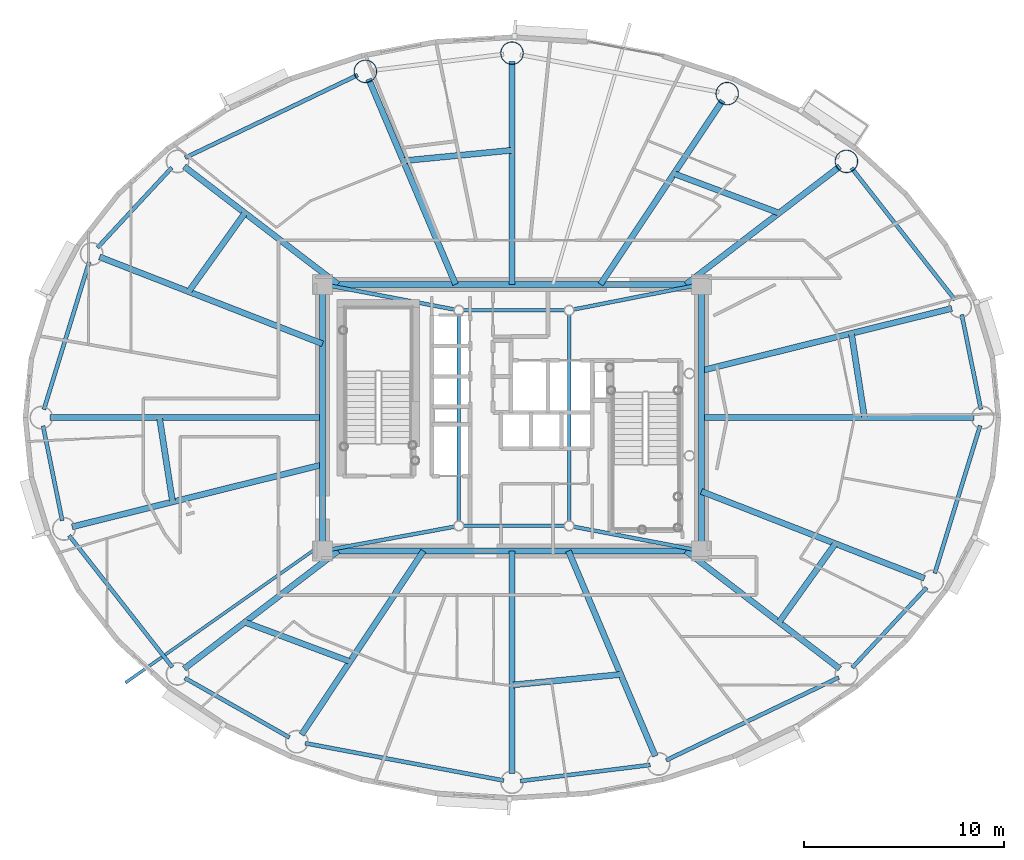
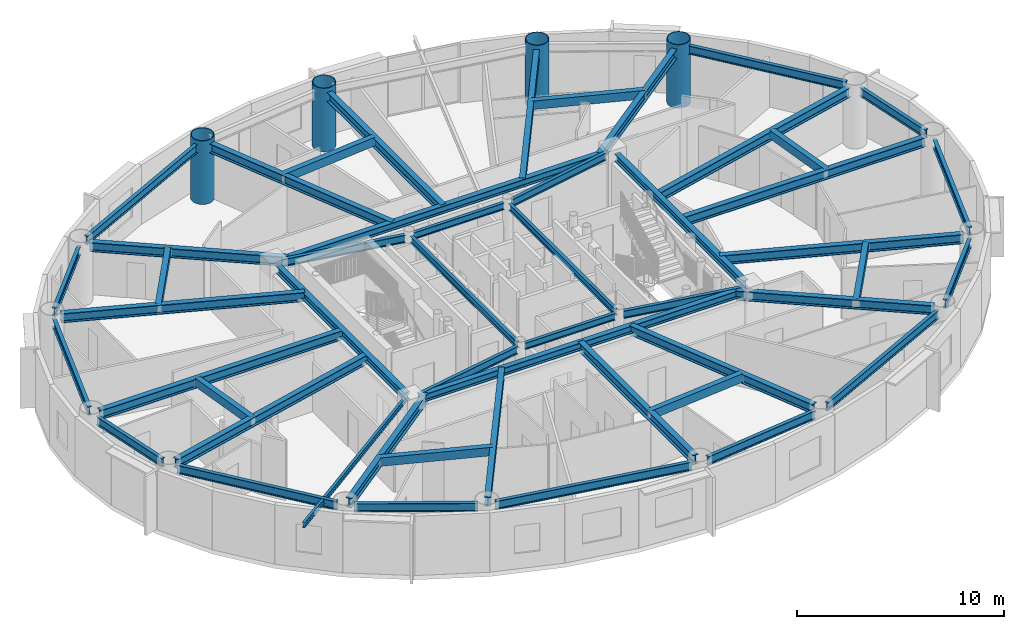
# One storey, part 3 of 21: 50 beams, 4 columns.
"""IFC4 building model written with IfcOpenShell, lengths in metres."""

import ifcopenshell
import ifcopenshell.guid

model = None  # the IFC model being written
_history = None  # IfcOwnerHistory: only IFC2X3 demands one
_inside = {}  # id of a spatial element -> (the spatial element, [elements in it])
_under = {}  # id of a project, library or spatial element -> (it, [spatial elements below it])
_declared = {}  # id of a project -> (the project, [libraries it declares])
_typed = {}  # id of a type object -> (the type object, [elements of that type])
_made_of = {}  # id of a material, layer set ... -> (it, [elements and type objects made of it])


def new_model(schema):
    """Start an empty IFC model of exactly this schema.

    Asked for "IFC4X3", IfcOpenShell would pick the latest addendum, in which some entities
    have other attributes; the version numbers below select the first issue.
    IFC2X3 requires an IfcOwnerHistory on every rooted entity: one is made here for all.
    """
    global model, _history
    if schema == "IFC4X3":
        model = ifcopenshell.file(schema_version=(4, 3, 0, 0))
    else:
        model = ifcopenshell.file(schema=schema)
    _inside.clear()
    _under.clear()
    _declared.clear()
    _typed.clear()
    _made_of.clear()
    _history = None
    if model.schema == "IFC2X3":
        org = make("IfcOrganization", Name="unknown")
        user = make(
            "IfcPersonAndOrganization",
            ThePerson=make("IfcPerson", FamilyName="unknown"),
            TheOrganization=org,
        )
        app = make(
            "IfcApplication",
            ApplicationDeveloper=org,
            Version="unknown",
            ApplicationFullName="unknown",
            ApplicationIdentifier="unknown",
        )
        _history = make(
            "IfcOwnerHistory",
            OwningUser=user,
            OwningApplication=app,
            ChangeAction="ADDED",
            CreationDate=0,
        )
    return model


def make(cls, **values):
    """One entity of the class cls with the attributes given. An attribute that is None is left unset."""
    return model.create_entity(
        cls, **{name: value for name, value in values.items() if value is not None}
    )


def rooted(cls, **values):
    """An entity with a GlobalId (a new one), such as an element, a storey or a relation."""
    return make(cls, GlobalId=ifcopenshell.guid.new(), OwnerHistory=_history, **values)


def si_unit(unit_type, name, prefix=None):
    """IfcSIUnit, for example si_unit("LENGTHUNIT", "METRE", prefix="MILLI")."""
    return make("IfcSIUnit", UnitType=unit_type, Prefix=prefix, Name=name)


def assignment(units):
    """IfcUnitAssignment: the units of a project."""
    return None if units is None else make("IfcUnitAssignment", Units=units)


def point(xyz):
    """IfcCartesianPoint."""
    return None if xyz is None else make("IfcCartesianPoint", Coordinates=xyz)


def direction(xyz):
    """IfcDirection."""
    return None if xyz is None else make("IfcDirection", DirectionRatios=xyz)


def frame(location, z_axis=None, x_axis=None):
    """IfcAxis2Placement3D, a coordinate frame: its origin and axes. An axis left out is left unset."""
    return make(
        "IfcAxis2Placement3D",
        Location=point(location),
        Axis=direction(z_axis),
        RefDirection=direction(x_axis),
    )


def frame_2d(location, x_axis=None):
    """IfcAxis2Placement2D, a coordinate frame in the plane: its origin and x axis."""
    return make(
        "IfcAxis2Placement2D", Location=point(location), RefDirection=direction(x_axis)
    )


def origin():
    """The frame at (0, 0, 0) with its axes left unset."""
    return frame((0.0, 0.0, 0.0))


def origin_2d():
    """The frame at (0, 0) in the plane with its x axis left unset."""
    return frame_2d((0.0, 0.0))


def place(relative_to, where):
    """IfcLocalPlacement: puts the frame where relative to a parent placement (None: the world)."""
    return make(
        "IfcLocalPlacement", PlacementRelTo=relative_to, RelativePlacement=where
    )


def context(
    kind, dimensions, precision=None, world=None, true_north=None, identifier=None
):
    """IfcGeometricRepresentationContext, for example the 3D "Model" context."""
    return make(
        "IfcGeometricRepresentationContext",
        ContextIdentifier=identifier,
        ContextType=kind,
        CoordinateSpaceDimension=dimensions,
        Precision=precision,
        WorldCoordinateSystem=world,
        TrueNorth=true_north,
    )


def subcontext(parent, identifier, kind, view, scale=None):
    """IfcGeometricRepresentationSubContext, for example "Body" below "Model"."""
    return make(
        "IfcGeometricRepresentationSubContext",
        ContextIdentifier=identifier,
        ContextType=kind,
        ParentContext=parent,
        TargetScale=scale,
        TargetView=view,
    )


def project(units=None, contexts=None):
    """IfcProject with its units and contexts."""
    return rooted(
        "IfcProject",
        Name="project",
        RepresentationContexts=contexts,
        UnitsInContext=assignment(units),
    )


def spatial(cls, under=None, at=None, **own):
    """A site, building, storey or space (cls), placed at a placement, below another one or the project."""
    s = rooted(cls, ObjectPlacement=at, **own)
    if under is not None:
        _under.setdefault(under.id(), (under, []))[1].append(s)
    return s


def profile(cls, at=None, kind="AREA", **sizes):
    """A parametric profile (cls). Its sizes go by their IFC names, for example OverallWidth=200.0."""
    return make(cls, ProfileType=kind, Position=at, **sizes)


def hollow_rectangle(**sizes):
    """IfcRectangleHollowProfileDef."""
    return profile("IfcRectangleHollowProfileDef", **sizes)


def hollow_circle(**sizes):
    """IfcCircleHollowProfileDef."""
    return profile("IfcCircleHollowProfileDef", **sizes)


def i_section(**sizes):
    """IfcIShapeProfileDef."""
    return profile("IfcIShapeProfileDef", **sizes)


def extrude(swept, where, along, depth):
    """IfcExtrudedAreaSolid: the profile swept, set in the frame where, extruded along a direction by depth."""
    return make(
        "IfcExtrudedAreaSolid",
        SweptArea=swept,
        Position=where,
        ExtrudedDirection=direction(along),
        Depth=depth,
    )


def shape(context_of_items, identifier, shape_type, items):
    """IfcShapeRepresentation: the items that make up one representation, for example the "Body"."""
    return make(
        "IfcShapeRepresentation",
        ContextOfItems=context_of_items,
        RepresentationIdentifier=identifier,
        RepresentationType=shape_type,
        Items=items,
    )


def material(Name=None, Category=None):
    """IfcMaterial."""
    return make("IfcMaterial", Name=Name, Category=Category)


def material_profile(
    of_material, cross_section, Name=None, Category=None, Priority=None
):
    """IfcMaterialProfile: a cross section and its material."""
    return make(
        "IfcMaterialProfile",
        Name=Name,
        Material=of_material,
        Profile=cross_section,
        Priority=Priority,
        Category=Category,
    )


def profile_set(profiles, Name=None, composite=None):
    """IfcMaterialProfileSet."""
    return make(
        "IfcMaterialProfileSet",
        Name=Name,
        MaterialProfiles=profiles,
        CompositeProfile=composite,
    )


def made_of(thing, what):
    """Note that an element or type object is made of a material, layer set ...; save() writes the relation."""
    if what is not None:
        _made_of.setdefault(what.id(), (what, []))[1].append(thing)
    return thing


def type_object(cls, material=None, **own):
    """A type object (cls), such as IfcWallType, which elements share."""
    return made_of(rooted(cls, **own), material)


def element(
    cls,
    number,
    at=None,
    inside=None,
    cuts=None,
    type_object=None,
    material=None,
    context=None,
    identifier="Body",
    shape_type=None,
    held_by="IfcProductDefinitionShape",
    body=None,
    shapes=None,
    **own,
):
    """One element of the class cls, such as IfcWall. Its Tag is "e" and its number.

    at: its placement. inside: the storey or other place that contains it. cuts: it is an
    opening in that element (IfcRelVoidsElement). A single representation is given by context,
    identifier, shape_type and body (its items); several are given by shapes. held_by: the class
    of the entity that holds the representations. save() writes the other relations.
    """
    e = rooted(cls, Tag="e%d" % number, ObjectPlacement=at, **own)
    if body is not None:
        shapes = [shape(context, identifier, shape_type, body)]
    if shapes is not None:
        e.Representation = make(held_by, Representations=shapes)
    if inside is not None:
        _inside.setdefault(inside.id(), (inside, []))[1].append(e)
    if cuts is not None:
        rooted(
            "IfcRelVoidsElement", RelatingBuildingElement=cuts, RelatedOpeningElement=e
        )
    if type_object is not None:
        _typed.setdefault(type_object.id(), (type_object, []))[1].append(e)
    return made_of(e, material)


def aggregate(whole, parts):
    """IfcRelAggregates: a whole, such as a stair, and the parts it consists of."""
    return rooted("IfcRelAggregates", RelatingObject=whole, RelatedObjects=parts)


def save(model, path):
    """Write the relations noted so far, then the file.

    IfcRelAggregates (storeys below a building ...), IfcRelContainedInSpatialStructure (elements
    in a storey), IfcRelDefinesByType, IfcRelAssociatesMaterial and IfcRelDeclares: one each for
    every whole, place, type object, material and project.
    """
    for whole, parts in _under.values():
        aggregate(whole, parts)
    for where, things in _inside.values():
        rooted(
            "IfcRelContainedInSpatialStructure",
            RelatedElements=things,
            RelatingStructure=where,
        )
    for kind, things in _typed.values():
        rooted("IfcRelDefinesByType", RelatedObjects=things, RelatingType=kind)
    for what, things in _made_of.values():
        rooted("IfcRelAssociatesMaterial", RelatedObjects=things, RelatingMaterial=what)
    for by, libraries in _declared.values():
        rooted("IfcRelDeclares", RelatingContext=by, RelatedDefinitions=libraries)
    model.write(path)


model = new_model("IFC4")

# Units and contexts
model_context = context("Model", 3, precision=1e-05, world=origin(), true_north=direction((0.0, 1.0)))
body_context = subcontext(model_context, "Body", "Model", "MODEL_VIEW")
ifc_project = project(units=[si_unit("LENGTHUNIT", "METRE"), si_unit("AREAUNIT", "SQUARE_METRE"), si_unit("VOLUMEUNIT", "CUBIC_METRE"), si_unit("PLANEANGLEUNIT", "RADIAN"), si_unit("MASSUNIT", "GRAM", prefix="KILO")], contexts=[model_context])

# Site, building, storey
site_placement = place(None, origin())
site = spatial("IfcSite", under=ifc_project, at=site_placement, CompositionType="ELEMENT")
building_placement = place(site_placement, origin())
building = spatial("IfcBuilding", under=site, at=building_placement, Name="Linh Dai School and Residence Tower", CompositionType="ELEMENT")
storey_placement = place(building_placement, frame((0.0, 0.0, 229.050048828125)))
storey = spatial("IfcBuildingStorey", under=building, at=storey_placement, Name="L56", CompositionType="ELEMENT", Elevation=229.050048828125)

# Columns
ifc_material = material(Name="Structural Steel S355JR", Category="steel")
ifc_material_profile_1 = material_profile(ifc_material, hollow_circle(Radius=0.574951171875, WallThickness=0.035888671875, at=origin_2d()), Name="CHS 1150x36")
ifc_profile_set_1 = profile_set([ifc_material_profile_1], Name="Structural Steel S355JR")
column_type = type_object("IfcColumnType", Name="COL-MC5", PredefinedType="COLUMN", material=ifc_profile_set_1)
for number, where, z_axis, x_axis, name in (
    (1, (52.68310546875, 39.781005859375, 0.0), (0.0, 0.0, 1.0), (1.0, 0.0, 0.0), "L56 Perimeter CFT Mega-Column MC03"),
    (2, (46.734619140625, 43.16357421875, 0.0), (0.0, 0.0, 1.0), (1.0, 0.0, 0.0), "L56 Perimeter CFT Mega-Column MC04"),
    (3, (36.0, 45.179931640625, 0.0), (0.0, 0.0, 1.0), (1.0, 0.0, 0.0), "L56 Perimeter CFT Mega-Column MC05"),
    (4, (28.68798828125, 44.2734375, 0.0), (0.0, 0.0, 1.0), (1.0, 0.0, 0.0), "L56 Perimeter CFT Mega-Column MC06"),
):
    element("IfcColumn", number, at=place(storey_placement, frame(where, z_axis=z_axis, x_axis=x_axis)), inside=storey, type_object=column_type, Name=name, PredefinedType="COLUMN", context=body_context, shape_type="SweptSolid", body=[
        extrude(hollow_circle(Radius=0.574951171875, WallThickness=0.035888671875, at=origin_2d()), origin(), (0.0, 0.0, 1.0), 3.75),
    ])

# Beams
ifc_material_profile_2 = material_profile(ifc_material, i_section(OverallWidth=0.14990234375, OverallDepth=0.300048828125, WebThickness=0.007080078125, FlangeThickness=0.0107421875, at=origin_2d()), Name="IPE 300")
ifc_profile_set_2 = profile_set([ifc_material_profile_2], Name="Structural Steel S355JR")
beam_type_1 = type_object("IfcBeamType", Name="BM-BALC-CANT", PredefinedType="BEAM", material=ifc_profile_set_2)
beam_1_placement = place(storey_placement, frame((26.550048828125, 20.698486328125, 3.349853515625), z_axis=(-0.817596484683, -0.57579161876, 0.0), x_axis=(0.57579161876, -0.817596484683, 0.0)))
element("IfcBeam", 5, at=beam_1_placement, inside=storey, type_object=beam_type_1, Name="L57 Balcony Continuous Cantilever Beam 25", PredefinedType="BEAM", context=body_context, shape_type="SweptSolid", body=[
    extrude(i_section(OverallWidth=0.14990234375, OverallDepth=0.300048828125, WebThickness=0.007080078125, FlangeThickness=0.0107421875, at=origin_2d()), origin(), (0.0, 0.0, 1.0), 12.02392578125),
])
ifc_material_profile_3 = material_profile(ifc_material, hollow_rectangle(XDim=0.300048828125, YDim=0.5, WallThickness=0.01611328125, at=origin_2d()), Name="RHS 500x300x16")
ifc_profile_set_3 = profile_set([ifc_material_profile_3], Name="Structural Steel S355JR")
beam_type_2 = type_object("IfcBeamType", Name="BM-BX5", PredefinedType="BEAM", material=ifc_profile_set_3)
beam_2_placement = place(storey_placement, frame((53.583740234375, 27.0048828125, 3.25), z_axis=(-0.153185278766, 0.988197485511, 0.0), x_axis=(-0.988197485511, -0.153185278766, 0.0)))
element("IfcBeam", 6, at=beam_2_placement, inside=storey, type_object=beam_type_2, Name="L56 Secondary Circumferential Floor Beam 01", PredefinedType="BEAM", context=body_context, shape_type="SweptSolid", body=[
    extrude(hollow_rectangle(XDim=0.300048828125, YDim=0.5, WallThickness=0.01611328125, at=origin_2d()), origin(), (0.0, 0.0, 1.0), 4.244140625),
])
beam_3_placement = place(storey_placement, frame((49.3173828125, 37.207763671875, 3.25), z_axis=(-0.936542736839, 0.350553422567, 0.0), x_axis=(-0.350553422567, -0.936542736839, 0.0)))
element("IfcBeam", 7, at=beam_3_placement, inside=storey, type_object=beam_type_2, Name="L56 Secondary Circumferential Floor Beam 02", PredefinedType="BEAM", context=body_context, shape_type="SweptSolid", body=[
    extrude(hollow_rectangle(XDim=0.300048828125, YDim=0.5, WallThickness=0.01611328125, at=origin_2d()), origin(), (0.0, 0.0, 1.0), 5.586181640625),
])
beam_4_placement = place(storey_placement, frame((35.9951171875, 40.3369140625, 3.25), z_axis=(-0.99533180868, -0.096512126851, 0.0), x_axis=(0.096512126851, -0.99533180868, 0.0)))
element("IfcBeam", 8, at=beam_4_placement, inside=storey, type_object=beam_type_2, Name="L56 Secondary Circumferential Floor Beam 03", PredefinedType="BEAM", context=body_context, shape_type="SweptSolid", body=[
    extrude(hollow_rectangle(XDim=0.300048828125, YDim=0.5, WallThickness=0.01611328125, at=origin_2d()), origin(), (0.0, 0.0, 1.0), 5.438720703125),
])
beam_5_placement = place(storey_placement, frame((22.675048828125, 37.201904296875, 3.25), z_axis=(-0.582034525951, -0.813164073605, 0.0), x_axis=(0.813164073605, -0.582034525951, 0.0)))
element("IfcBeam", 9, at=beam_5_placement, inside=storey, type_object=beam_type_2, Name="L56 Secondary Circumferential Floor Beam 04", PredefinedType="BEAM", context=body_context, shape_type="SweptSolid", body=[
    extrude(hollow_rectangle(XDim=0.300048828125, YDim=0.5, WallThickness=0.01611328125, at=origin_2d()), origin(), (0.0, 0.0, 1.0), 4.8125),
])
beam_6_placement = place(storey_placement, frame((18.416259765625, 26.9951171875, 3.25), z_axis=(0.153185278766, -0.988197485511, 0.0), x_axis=(0.988197485511, 0.153185278766, 0.0)))
element("IfcBeam", 10, at=beam_6_placement, inside=storey, type_object=beam_type_2, Name="L56 Secondary Circumferential Floor Beam 05", PredefinedType="BEAM", context=body_context, shape_type="SweptSolid", body=[
    extrude(hollow_rectangle(XDim=0.300048828125, YDim=0.5, WallThickness=0.01611328125, at=origin_2d()), origin(), (0.0, 0.0, 1.0), 4.244140625),
])
beam_7_placement = place(storey_placement, frame((22.6826171875, 16.792236328125, 3.25), z_axis=(0.936542736839, -0.350553422567, 0.0), x_axis=(0.350553422567, 0.936542736839, 0.0)))
element("IfcBeam", 11, at=beam_7_placement, inside=storey, type_object=beam_type_2, Name="L56 Secondary Circumferential Floor Beam 06", PredefinedType="BEAM", context=body_context, shape_type="SweptSolid", body=[
    extrude(hollow_rectangle(XDim=0.300048828125, YDim=0.5, WallThickness=0.01611328125, at=origin_2d()), origin(), (0.0, 0.0, 1.0), 5.586181640625),
])
beam_8_placement = place(storey_placement, frame((36.0048828125, 13.6630859375, 3.25), z_axis=(0.99533180868, 0.096512126851, 0.0), x_axis=(-0.096512126851, 0.99533180868, 0.0)))
element("IfcBeam", 12, at=beam_8_placement, inside=storey, type_object=beam_type_2, Name="L56 Secondary Circumferential Floor Beam 07", PredefinedType="BEAM", context=body_context, shape_type="SweptSolid", body=[
    extrude(hollow_rectangle(XDim=0.300048828125, YDim=0.5, WallThickness=0.01611328125, at=origin_2d()), origin(), (0.0, 0.0, 1.0), 5.438720703125),
])
beam_9_placement = place(storey_placement, frame((49.324951171875, 16.798095703125, 3.25), z_axis=(0.582034525951, 0.813164073605, 0.0), x_axis=(-0.813164073605, 0.582034525951, 0.0)))
element("IfcBeam", 13, at=beam_9_placement, inside=storey, type_object=beam_type_2, Name="L56 Secondary Circumferential Floor Beam 08", PredefinedType="BEAM", context=body_context, shape_type="SweptSolid", body=[
    extrude(hollow_rectangle(XDim=0.300048828125, YDim=0.5, WallThickness=0.01611328125, at=origin_2d()), origin(), (0.0, 0.0, 1.0), 4.8125),
])
ifc_material_profile_4 = material_profile(ifc_material, i_section(OverallWidth=0.199951171875, OverallDepth=0.5, WebThickness=0.01025390625, FlangeThickness=0.01611328125, FilletRadius=0.02099609375, at=origin_2d()), Name="IPE 500")
ifc_profile_set_4 = profile_set([ifc_material_profile_4], Name="Structural Steel S355JR")
beam_type_3 = type_object("IfcBeamType", Name="BM-RB50", PredefinedType="BEAM", material=ifc_profile_set_4)
beam_10_placement = place(storey_placement, frame((59.3916015625, 27.41162109375, 3.25), z_axis=(-0.198423200906, 0.980116438666, 0.0), x_axis=(-0.980116438666, -0.198423200906, 0.0)))
element("IfcBeam", 14, at=beam_10_placement, inside=storey, type_object=beam_type_3, Name="L56 Perimeter Elliptical Ring Beam 01", PredefinedType="BEAM", context=body_context, shape_type="SweptSolid", body=[
    extrude(i_section(OverallWidth=0.199951171875, OverallDepth=0.5, WebThickness=0.01025390625, FlangeThickness=0.01611328125, FilletRadius=0.02099609375, at=origin_2d()), origin(), (0.0, 0.0, 1.0), 4.822021484375),
])
beam_11_placement = place(storey_placement, frame((58.09228515625, 32.8798828125, 3.25), z_axis=(-0.616900268003, 0.787041332674, 0.0), x_axis=(-0.787041332674, -0.616900268003, 0.0)))
element("IfcBeam", 15, at=beam_11_placement, inside=storey, type_object=beam_type_3, Name="L56 Perimeter Elliptical Ring Beam 02", PredefinedType="BEAM", context=body_context, shape_type="SweptSolid", body=[
    extrude(i_section(OverallWidth=0.199951171875, OverallDepth=0.5, WebThickness=0.01025390625, FlangeThickness=0.01611328125, FilletRadius=0.02099609375, at=origin_2d()), origin(), (0.0, 0.0, 1.0), 8.348388671875),
])
beam_12_placement = place(storey_placement, frame((28.309326171875, 44.092041015625, 3.25), z_axis=(-0.901735920201, -0.432287323686, 0.0), x_axis=(0.432287323686, -0.901735920201, 0.0)))
element("IfcBeam", 16, at=beam_12_placement, inside=storey, type_object=beam_type_3, Name="L56 Perimeter Elliptical Ring Beam 06", PredefinedType="BEAM", context=body_context, shape_type="SweptSolid", body=[
    extrude(i_section(OverallWidth=0.199951171875, OverallDepth=0.5, WebThickness=0.01025390625, FlangeThickness=0.01611328125, FilletRadius=0.02099609375, at=origin_2d()), origin(), (0.0, 0.0, 1.0), 9.552490234375),
])
beam_13_placement = place(storey_placement, frame((19.031005859375, 39.47314453125, 3.25), z_axis=(-0.68040816846, -0.732833353699, 0.0), x_axis=(0.732833353699, -0.68040816846, 0.0)))
element("IfcBeam", 17, at=beam_13_placement, inside=storey, type_object=beam_type_3, Name="L56 Perimeter Elliptical Ring Beam 07", PredefinedType="BEAM", context=body_context, shape_type="SweptSolid", body=[
    extrude(i_section(OverallWidth=0.199951171875, OverallDepth=0.5, WebThickness=0.01025390625, FlangeThickness=0.01611328125, FilletRadius=0.02099609375, at=origin_2d()), origin(), (0.0, 0.0, 1.0), 5.453369140625),
])
beam_14_placement = place(storey_placement, frame((14.911376953125, 34.767578125, 3.25), z_axis=(-0.293660595717, -0.95590975229, 0.0), x_axis=(0.95590975229, -0.293660595717, 0.0)))
element("IfcBeam", 18, at=beam_14_placement, inside=storey, type_object=beam_type_3, Name="L56 Perimeter Elliptical Ring Beam 08", PredefinedType="BEAM", context=body_context, shape_type="SweptSolid", body=[
    extrude(i_section(OverallWidth=0.199951171875, OverallDepth=0.5, WebThickness=0.01025390625, FlangeThickness=0.01611328125, FilletRadius=0.02099609375, at=origin_2d()), origin(), (0.0, 0.0, 1.0), 7.7060546875),
])
beam_15_placement = place(storey_placement, frame((12.6083984375, 26.58837890625, 3.25), z_axis=(0.198423200906, -0.980116438666, 0.0), x_axis=(0.980116438666, 0.198423200906, 0.0)))
element("IfcBeam", 19, at=beam_15_placement, inside=storey, type_object=beam_type_3, Name="L56 Perimeter Elliptical Ring Beam 09", PredefinedType="BEAM", context=body_context, shape_type="SweptSolid", body=[
    extrude(i_section(OverallWidth=0.199951171875, OverallDepth=0.5, WebThickness=0.01025390625, FlangeThickness=0.01611328125, FilletRadius=0.02099609375, at=origin_2d()), origin(), (0.0, 0.0, 1.0), 4.822021484375),
])
beam_16_placement = place(storey_placement, frame((13.90771484375, 21.1201171875, 3.25), z_axis=(0.616900268003, -0.787041332674, 0.0), x_axis=(0.787041332674, 0.616900268003, 0.0)))
element("IfcBeam", 20, at=beam_16_placement, inside=storey, type_object=beam_type_3, Name="L56 Perimeter Elliptical Ring Beam 10", PredefinedType="BEAM", context=body_context, shape_type="SweptSolid", body=[
    extrude(i_section(OverallWidth=0.199951171875, OverallDepth=0.5, WebThickness=0.01025390625, FlangeThickness=0.01611328125, FilletRadius=0.02099609375, at=origin_2d()), origin(), (0.0, 0.0, 1.0), 8.348388671875),
])
beam_17_placement = place(storey_placement, frame((19.681884765625, 14.011474609375, 3.25), z_axis=(0.869297314463, -0.494289570058, 0.0), x_axis=(0.494289570058, 0.869297314463, 0.0)))
element("IfcBeam", 21, at=beam_17_placement, inside=storey, type_object=beam_type_3, Name="L56 Perimeter Elliptical Ring Beam 11", PredefinedType="BEAM", context=body_context, shape_type="SweptSolid", body=[
    extrude(i_section(OverallWidth=0.199951171875, OverallDepth=0.5, WebThickness=0.01025390625, FlangeThickness=0.01611328125, FilletRadius=0.02099609375, at=origin_2d()), origin(), (0.0, 0.0, 1.0), 6.003173828125),
])
beam_18_placement = place(storey_placement, frame((25.67822265625, 10.759033203125, 3.25), z_axis=(0.982806607762, -0.184637947722, 0.0), x_axis=(0.184637947722, 0.982806607762, 0.0)))
element("IfcBeam", 22, at=beam_18_placement, inside=storey, type_object=beam_type_3, Name="L56 Perimeter Elliptical Ring Beam 12", PredefinedType="BEAM", context=body_context, shape_type="SweptSolid", body=[
    extrude(i_section(OverallWidth=0.199951171875, OverallDepth=0.5, WebThickness=0.01025390625, FlangeThickness=0.01611328125, FilletRadius=0.02099609375, at=origin_2d()), origin(), (0.0, 0.0, 1.0), 10.082275390625),
])
beam_19_placement = place(storey_placement, frame((36.416748046875, 8.87158203125, 3.25), z_axis=(0.992401656104, 0.123040452539, 0.0), x_axis=(-0.123040452539, 0.992401656104, 0.0)))
element("IfcBeam", 23, at=beam_19_placement, inside=storey, type_object=beam_type_3, Name="L56 Perimeter Elliptical Ring Beam 13", PredefinedType="BEAM", context=body_context, shape_type="SweptSolid", body=[
    extrude(i_section(OverallWidth=0.199951171875, OverallDepth=0.5, WebThickness=0.01025390625, FlangeThickness=0.01611328125, FilletRadius=0.02099609375, at=origin_2d()), origin(), (0.0, 0.0, 1.0), 6.528076171875),
])
beam_20_placement = place(storey_placement, frame((43.690673828125, 9.907958984375, 3.25), z_axis=(0.901735920201, 0.432287323686, 0.0), x_axis=(-0.432287323686, 0.901735920201, 0.0)))
element("IfcBeam", 24, at=beam_20_placement, inside=storey, type_object=beam_type_3, Name="L56 Perimeter Elliptical Ring Beam 14", PredefinedType="BEAM", context=body_context, shape_type="SweptSolid", body=[
    extrude(i_section(OverallWidth=0.199951171875, OverallDepth=0.5, WebThickness=0.01025390625, FlangeThickness=0.01611328125, FilletRadius=0.02099609375, at=origin_2d()), origin(), (0.0, 0.0, 1.0), 9.552490234375),
])
beam_21_placement = place(storey_placement, frame((52.968994140625, 14.52685546875, 3.25), z_axis=(0.68040816846, 0.732833353699, 0.0), x_axis=(-0.732833353699, 0.68040816846, 0.0)))
element("IfcBeam", 25, at=beam_21_placement, inside=storey, type_object=beam_type_3, Name="L56 Perimeter Elliptical Ring Beam 15", PredefinedType="BEAM", context=body_context, shape_type="SweptSolid", body=[
    extrude(i_section(OverallWidth=0.199951171875, OverallDepth=0.5, WebThickness=0.01025390625, FlangeThickness=0.01611328125, FilletRadius=0.02099609375, at=origin_2d()), origin(), (0.0, 0.0, 1.0), 5.453369140625),
])
beam_22_placement = place(storey_placement, frame((57.088623046875, 19.232421875, 3.25), z_axis=(0.293660595717, 0.95590975229, 0.0), x_axis=(-0.95590975229, 0.293660595717, 0.0)))
element("IfcBeam", 26, at=beam_22_placement, inside=storey, type_object=beam_type_3, Name="L56 Perimeter Elliptical Ring Beam 16", PredefinedType="BEAM", context=body_context, shape_type="SweptSolid", body=[
    extrude(i_section(OverallWidth=0.199951171875, OverallDepth=0.5, WebThickness=0.01025390625, FlangeThickness=0.01611328125, FilletRadius=0.02099609375, at=origin_2d()), origin(), (0.0, 0.0, 1.0), 7.7060546875),
])
ifc_material_profile_5 = material_profile(ifc_material, i_section(OverallWidth=0.300048828125, OverallDepth=0.449951171875, WebThickness=0.013916015625, FlangeThickness=0.02587890625, FilletRadius=0.027099609375, at=origin_2d()), Name="HEB 450")
ifc_profile_set_5 = profile_set([ifc_material_profile_5], Name="Structural Steel S355JR")
beam_type_4 = type_object("IfcBeamType", Name="BM-RG45", PredefinedType="BEAM", material=ifc_profile_set_5)
beam_23_placement = place(storey_placement, frame((26.969970703125, 20.35009765625, 3.27490234375), z_axis=(1.0, 0.0, 0.0), x_axis=(0.0, 1.0, 0.0)))
element("IfcBeam", 27, at=beam_23_placement, inside=storey, type_object=beam_type_4, Name="L56 Core Perimeter Coupling Girder 1", PredefinedType="BEAM", context=body_context, shape_type="SweptSolid", body=[
    extrude(i_section(OverallWidth=0.300048828125, OverallDepth=0.449951171875, WebThickness=0.013916015625, FlangeThickness=0.02587890625, FilletRadius=0.027099609375, at=origin_2d()), origin(), (0.0, 0.0, 1.0), 18.06005859375),
])
beam_24_placement = place(storey_placement, frame((45.449951171875, 20.77001953125, 3.27490234375), z_axis=(0.0, 1.0, 0.0), x_axis=(-1.0, 0.0, 0.0)))
element("IfcBeam", 28, at=beam_24_placement, inside=storey, type_object=beam_type_4, Name="L56 Core Perimeter Coupling Girder 2", PredefinedType="BEAM", context=body_context, shape_type="SweptSolid", body=[
    extrude(i_section(OverallWidth=0.300048828125, OverallDepth=0.449951171875, WebThickness=0.013916015625, FlangeThickness=0.02587890625, FilletRadius=0.027099609375, at=origin_2d()), origin(), (0.0, 0.0, 1.0), 12.4599609375),
])
beam_25_placement = place(storey_placement, frame((45.030029296875, 33.64990234375, 3.27490234375), z_axis=(-1.0, 0.0, 0.0), x_axis=(0.0, -1.0, 0.0)))
element("IfcBeam", 29, at=beam_25_placement, inside=storey, type_object=beam_type_4, Name="L56 Core Perimeter Coupling Girder 3", PredefinedType="BEAM", context=body_context, shape_type="SweptSolid", body=[
    extrude(i_section(OverallWidth=0.300048828125, OverallDepth=0.449951171875, WebThickness=0.013916015625, FlangeThickness=0.02587890625, FilletRadius=0.027099609375, at=origin_2d()), origin(), (0.0, 0.0, 1.0), 18.06005859375),
])
beam_26_placement = place(storey_placement, frame((26.550048828125, 33.22998046875, 3.27490234375), z_axis=(0.0, -1.0, 0.0), x_axis=(1.0, 0.0, 0.0)))
element("IfcBeam", 30, at=beam_26_placement, inside=storey, type_object=beam_type_4, Name="L56 Core Perimeter Coupling Girder 4", PredefinedType="BEAM", context=body_context, shape_type="SweptSolid", body=[
    extrude(i_section(OverallWidth=0.300048828125, OverallDepth=0.449951171875, WebThickness=0.013916015625, FlangeThickness=0.02587890625, FilletRadius=0.027099609375, at=origin_2d()), origin(), (0.0, 0.0, 1.0), 12.4599609375),
])
ifc_material_profile_6 = material_profile(ifc_material, i_section(OverallWidth=0.300048828125, OverallDepth=0.550048828125, WebThickness=0.014892578125, FlangeThickness=0.029052734375, FilletRadius=0.027099609375, at=origin_2d()), Name="HEB 550")
ifc_profile_set_6 = profile_set([ifc_material_profile_6], Name="Structural Steel S355JR")
beam_type_5 = type_object("IfcBeamType", Name="BM-RG55", PredefinedType="BEAM", material=ifc_profile_set_6)
beam_27_placement = place(storey_placement, frame((45.449951171875, 27.0, 3.224853515625), z_axis=(1.0, 0.0, 0.0), x_axis=(0.0, 1.0, 0.0)))
element("IfcBeam", 31, at=beam_27_placement, inside=storey, type_object=beam_type_5, Name="L56 Primary Radial Floor Girder 01", PredefinedType="BEAM", context=body_context, shape_type="SweptSolid", body=[
    extrude(i_section(OverallWidth=0.300048828125, OverallDepth=0.550048828125, WebThickness=0.014892578125, FlangeThickness=0.029052734375, FilletRadius=0.027099609375, at=origin_2d()), origin(), (0.0, 0.0, 1.0), 13.60498046875),
])
beam_28_placement = place(storey_placement, frame((45.449951171875, 29.34619140625, 3.224853515625), z_axis=(0.970537241974, 0.240951160904, 0.0), x_axis=(-0.240951160904, 0.970537241974, 0.0)))
element("IfcBeam", 32, at=beam_28_placement, inside=storey, type_object=beam_type_5, Name="L56 Primary Radial Floor Girder 02", PredefinedType="BEAM", context=body_context, shape_type="SweptSolid", body=[
    extrude(i_section(OverallWidth=0.300048828125, OverallDepth=0.550048828125, WebThickness=0.014892578125, FlangeThickness=0.029052734375, FilletRadius=0.027099609375, at=origin_2d()), origin(), (0.0, 0.0, 1.0), 12.873291015625),
])
beam_29_placement = place(storey_placement, frame((44.680419921875, 33.64990234375, 3.224853515625), z_axis=(0.793814553483, 0.608159892363, 0.0), x_axis=(-0.608159892363, 0.793814553483, 0.0)))
element("IfcBeam", 33, at=beam_29_placement, inside=storey, type_object=beam_type_5, Name="L56 Primary Radial Floor Girder 03", PredefinedType="BEAM", context=body_context, shape_type="SweptSolid", body=[
    extrude(i_section(OverallWidth=0.300048828125, OverallDepth=0.550048828125, WebThickness=0.014892578125, FlangeThickness=0.029052734375, FilletRadius=0.027099609375, at=origin_2d()), origin(), (0.0, 0.0, 1.0), 9.661376953125),
])
beam_30_placement = place(storey_placement, frame((40.41650390625, 33.64990234375, 3.224853515625), z_axis=(0.553219177991, 0.833035738191, 0.0), x_axis=(-0.833035738191, 0.553219177991, 0.0)))
element("IfcBeam", 34, at=beam_30_placement, inside=storey, type_object=beam_type_5, Name="L56 Primary Radial Floor Girder 04", PredefinedType="BEAM", context=body_context, shape_type="SweptSolid", body=[
    extrude(i_section(OverallWidth=0.300048828125, OverallDepth=0.550048828125, WebThickness=0.014892578125, FlangeThickness=0.029052734375, FilletRadius=0.027099609375, at=origin_2d()), origin(), (0.0, 0.0, 1.0), 11.00048828125),
])
beam_31_placement = place(storey_placement, frame((36.0, 33.64990234375, 3.224853515625), z_axis=(0.0, 1.0, 0.0), x_axis=(-1.0, 0.0, 0.0)))
element("IfcBeam", 35, at=beam_31_placement, inside=storey, type_object=beam_type_5, Name="L56 Primary Radial Floor Girder 05", PredefinedType="BEAM", context=body_context, shape_type="SweptSolid", body=[
    extrude(i_section(OverallWidth=0.300048828125, OverallDepth=0.550048828125, WebThickness=0.014892578125, FlangeThickness=0.029052734375, FilletRadius=0.027099609375, at=origin_2d()), origin(), (0.0, 0.0, 1.0), 11.110107421875),
])
beam_32_placement = place(storey_placement, frame((33.18505859375, 33.64990234375, 3.224853515625), z_axis=(-0.389814803082, 0.920893272479, 0.0), x_axis=(-0.920893272479, -0.389814803082, 0.0)))
element("IfcBeam", 36, at=beam_32_placement, inside=storey, type_object=beam_type_5, Name="L56 Primary Radial Floor Girder 06", PredefinedType="BEAM", context=body_context, shape_type="SweptSolid", body=[
    extrude(i_section(OverallWidth=0.300048828125, OverallDepth=0.550048828125, WebThickness=0.014892578125, FlangeThickness=0.029052734375, FilletRadius=0.027099609375, at=origin_2d()), origin(), (0.0, 0.0, 1.0), 11.1162109375),
])
beam_33_placement = place(storey_placement, frame((27.319580078125, 33.64990234375, 3.224853515625), z_axis=(-0.793814553483, 0.608159892363, 0.0), x_axis=(-0.608159892363, -0.793814553483, 0.0)))
element("IfcBeam", 37, at=beam_33_placement, inside=storey, type_object=beam_type_5, Name="L56 Primary Radial Floor Girder 07", PredefinedType="BEAM", context=body_context, shape_type="SweptSolid", body=[
    extrude(i_section(OverallWidth=0.300048828125, OverallDepth=0.550048828125, WebThickness=0.014892578125, FlangeThickness=0.029052734375, FilletRadius=0.027099609375, at=origin_2d()), origin(), (0.0, 0.0, 1.0), 9.661376953125),
])
beam_34_placement = place(storey_placement, frame((26.550048828125, 30.68212890625, 3.224853515625), z_axis=(-0.931764994123, 0.363061972295, 0.0), x_axis=(-0.363061972295, -0.931764994123, 0.0)))
element("IfcBeam", 38, at=beam_34_placement, inside=storey, type_object=beam_type_5, Name="L56 Primary Radial Floor Girder 08", PredefinedType="BEAM", context=body_context, shape_type="SweptSolid", body=[
    extrude(i_section(OverallWidth=0.300048828125, OverallDepth=0.550048828125, WebThickness=0.014892578125, FlangeThickness=0.029052734375, FilletRadius=0.027099609375, at=origin_2d()), origin(), (0.0, 0.0, 1.0), 11.938720703125),
])
beam_35_placement = place(storey_placement, frame((26.550048828125, 27.0, 3.224853515625), z_axis=(-1.0, 0.0, 0.0), x_axis=(0.0, -1.0, 0.0)))
element("IfcBeam", 39, at=beam_35_placement, inside=storey, type_object=beam_type_5, Name="L56 Primary Radial Floor Girder 09", PredefinedType="BEAM", context=body_context, shape_type="SweptSolid", body=[
    extrude(i_section(OverallWidth=0.300048828125, OverallDepth=0.550048828125, WebThickness=0.014892578125, FlangeThickness=0.029052734375, FilletRadius=0.027099609375, at=origin_2d()), origin(), (0.0, 0.0, 1.0), 13.60498046875),
])
beam_36_placement = place(storey_placement, frame((26.550048828125, 24.65380859375, 3.224853515625), z_axis=(-0.970537241974, -0.240951160904, 0.0), x_axis=(0.240951160904, -0.970537241974, 0.0)))
element("IfcBeam", 40, at=beam_36_placement, inside=storey, type_object=beam_type_5, Name="L56 Primary Radial Floor Girder 10", PredefinedType="BEAM", context=body_context, shape_type="SweptSolid", body=[
    extrude(i_section(OverallWidth=0.300048828125, OverallDepth=0.550048828125, WebThickness=0.014892578125, FlangeThickness=0.029052734375, FilletRadius=0.027099609375, at=origin_2d()), origin(), (0.0, 0.0, 1.0), 12.873291015625),
])
beam_37_placement = place(storey_placement, frame((27.319580078125, 20.35009765625, 3.224853515625), z_axis=(-0.793814553483, -0.608159892363, 0.0), x_axis=(0.608159892363, -0.793814553483, 0.0)))
element("IfcBeam", 41, at=beam_37_placement, inside=storey, type_object=beam_type_5, Name="L56 Primary Radial Floor Girder 11", PredefinedType="BEAM", context=body_context, shape_type="SweptSolid", body=[
    extrude(i_section(OverallWidth=0.300048828125, OverallDepth=0.550048828125, WebThickness=0.014892578125, FlangeThickness=0.029052734375, FilletRadius=0.027099609375, at=origin_2d()), origin(), (0.0, 0.0, 1.0), 9.661376953125),
])
beam_38_placement = place(storey_placement, frame((31.58349609375, 20.35009765625, 3.224853515625), z_axis=(-0.553219177991, -0.833035738191, 0.0), x_axis=(0.833035738191, -0.553219177991, 0.0)))
element("IfcBeam", 42, at=beam_38_placement, inside=storey, type_object=beam_type_5, Name="L56 Primary Radial Floor Girder 12", PredefinedType="BEAM", context=body_context, shape_type="SweptSolid", body=[
    extrude(i_section(OverallWidth=0.300048828125, OverallDepth=0.550048828125, WebThickness=0.014892578125, FlangeThickness=0.029052734375, FilletRadius=0.027099609375, at=origin_2d()), origin(), (0.0, 0.0, 1.0), 11.00048828125),
])
beam_39_placement = place(storey_placement, frame((36.0, 20.35009765625, 3.224853515625), z_axis=(0.0, -1.0, 0.0), x_axis=(1.0, 0.0, 0.0)))
element("IfcBeam", 43, at=beam_39_placement, inside=storey, type_object=beam_type_5, Name="L56 Primary Radial Floor Girder 13", PredefinedType="BEAM", context=body_context, shape_type="SweptSolid", body=[
    extrude(i_section(OverallWidth=0.300048828125, OverallDepth=0.550048828125, WebThickness=0.014892578125, FlangeThickness=0.029052734375, FilletRadius=0.027099609375, at=origin_2d()), origin(), (0.0, 0.0, 1.0), 11.110107421875),
])
beam_40_placement = place(storey_placement, frame((38.81494140625, 20.35009765625, 3.224853515625), z_axis=(0.389814803082, -0.920893272479, 0.0), x_axis=(0.920893272479, 0.389814803082, 0.0)))
element("IfcBeam", 44, at=beam_40_placement, inside=storey, type_object=beam_type_5, Name="L56 Primary Radial Floor Girder 14", PredefinedType="BEAM", context=body_context, shape_type="SweptSolid", body=[
    extrude(i_section(OverallWidth=0.300048828125, OverallDepth=0.550048828125, WebThickness=0.014892578125, FlangeThickness=0.029052734375, FilletRadius=0.027099609375, at=origin_2d()), origin(), (0.0, 0.0, 1.0), 11.1162109375),
])
beam_41_placement = place(storey_placement, frame((44.680419921875, 20.35009765625, 3.224853515625), z_axis=(0.793814553483, -0.608159892363, 0.0), x_axis=(0.608159892363, 0.793814553483, 0.0)))
element("IfcBeam", 45, at=beam_41_placement, inside=storey, type_object=beam_type_5, Name="L56 Primary Radial Floor Girder 15", PredefinedType="BEAM", context=body_context, shape_type="SweptSolid", body=[
    extrude(i_section(OverallWidth=0.300048828125, OverallDepth=0.550048828125, WebThickness=0.014892578125, FlangeThickness=0.029052734375, FilletRadius=0.027099609375, at=origin_2d()), origin(), (0.0, 0.0, 1.0), 9.661376953125),
])
beam_42_placement = place(storey_placement, frame((45.449951171875, 23.31787109375, 3.224853515625), z_axis=(0.931764994123, -0.363061972295, 0.0), x_axis=(0.363061972295, 0.931764994123, 0.0)))
element("IfcBeam", 46, at=beam_42_placement, inside=storey, type_object=beam_type_5, Name="L56 Primary Radial Floor Girder 16", PredefinedType="BEAM", context=body_context, shape_type="SweptSolid", body=[
    extrude(i_section(OverallWidth=0.300048828125, OverallDepth=0.550048828125, WebThickness=0.014892578125, FlangeThickness=0.029052734375, FilletRadius=0.027099609375, at=origin_2d()), origin(), (0.0, 0.0, 1.0), 11.938720703125),
])
ifc_material_profile_7 = material_profile(ifc_material, i_section(OverallWidth=0.179931640625, OverallDepth=0.39990234375, WebThickness=0.008544921875, FlangeThickness=0.013427734375, FilletRadius=0.02099609375, at=origin_2d()), Name="IPE 400")
ifc_profile_set_7 = profile_set([ifc_material_profile_7], Name="Structural Steel S355JR")
beam_type_6 = type_object("IfcBeamType", Name="BM-SB40", PredefinedType="BEAM", material=ifc_profile_set_7)
beam_43_placement = place(storey_placement, frame((33.573974609375, 21.60009765625, 3.300048828125), z_axis=(1.0, 0.0, 0.0), x_axis=(0.0, 1.0, 0.0)))
element("IfcBeam", 47, at=beam_43_placement, inside=storey, type_object=beam_type_6, Name="L56 Core Mast Pier Tie Beam 1", PredefinedType="BEAM", context=body_context, shape_type="SweptSolid", body=[
    extrude(i_section(OverallWidth=0.179931640625, OverallDepth=0.39990234375, WebThickness=0.008544921875, FlangeThickness=0.013427734375, FilletRadius=0.02099609375, at=origin_2d()), origin(), (0.0, 0.0, 1.0), 5.052001953125),
])
beam_44_placement = place(storey_placement, frame((38.85009765625, 21.823974609375, 3.300048828125), z_axis=(0.0, 1.0, 0.0), x_axis=(-1.0, 0.0, 0.0)))
element("IfcBeam", 48, at=beam_44_placement, inside=storey, type_object=beam_type_6, Name="L56 Core Mast Pier Tie Beam 2", PredefinedType="BEAM", context=body_context, shape_type="SweptSolid", body=[
    extrude(i_section(OverallWidth=0.179931640625, OverallDepth=0.39990234375, WebThickness=0.008544921875, FlangeThickness=0.013427734375, FilletRadius=0.02099609375, at=origin_2d()), origin(), (0.0, 0.0, 1.0), 10.302001953125),
])
beam_45_placement = place(storey_placement, frame((38.6259765625, 32.35009765625, 3.300048828125), z_axis=(-1.0, 0.0, 0.0), x_axis=(0.0, -1.0, 0.0)))
element("IfcBeam", 49, at=beam_45_placement, inside=storey, type_object=beam_type_6, Name="L56 Core Mast Pier Tie Beam 3", PredefinedType="BEAM", context=body_context, shape_type="SweptSolid", body=[
    extrude(i_section(OverallWidth=0.179931640625, OverallDepth=0.39990234375, WebThickness=0.008544921875, FlangeThickness=0.013427734375, FilletRadius=0.02099609375, at=origin_2d()), origin(), (0.0, 0.0, 1.0), 5.052001953125),
])
beam_46_placement = place(storey_placement, frame((33.35009765625, 32.1259765625, 3.300048828125), z_axis=(0.0, -1.0, 0.0), x_axis=(1.0, 0.0, 0.0)))
element("IfcBeam", 50, at=beam_46_placement, inside=storey, type_object=beam_type_6, Name="L56 Core Mast Pier Tie Beam 4", PredefinedType="BEAM", context=body_context, shape_type="SweptSolid", body=[
    extrude(i_section(OverallWidth=0.179931640625, OverallDepth=0.39990234375, WebThickness=0.008544921875, FlangeThickness=0.013427734375, FilletRadius=0.02099609375, at=origin_2d()), origin(), (0.0, 0.0, 1.0), 10.302001953125),
])
ifc_material_profile_8 = material_profile(ifc_material, i_section(OverallWidth=0.18994140625, OverallDepth=0.449951171875, WebThickness=0.009521484375, FlangeThickness=0.0146484375, FilletRadius=0.02099609375, at=origin_2d()), Name="IPE 450")
ifc_profile_set_8 = profile_set([ifc_material_profile_8], Name="Structural Steel S355JR")
beam_type_7 = type_object("IfcBeamType", Name="BM-SB45", PredefinedType="BEAM", material=ifc_profile_set_8)
beam_47_placement = place(storey_placement, frame((26.963134765625, 20.426025390625, 3.27490234375), z_axis=(0.983521034508, 0.180793735182, 0.0), x_axis=(-0.180793735182, 0.983521034508, 0.0)))
element("IfcBeam", 51, at=beam_47_placement, inside=storey, type_object=beam_type_7, Name="L56 Core Corner-to-Mast Pier Beam 1", PredefinedType="BEAM", context=body_context, shape_type="SweptSolid", body=[
    extrude(i_section(OverallWidth=0.18994140625, OverallDepth=0.449951171875, WebThickness=0.009521484375, FlangeThickness=0.0146484375, FilletRadius=0.02099609375, at=origin_2d()), origin(), (0.0, 0.0, 1.0), 6.269775390625),
])
beam_48_placement = place(storey_placement, frame((45.037353515625, 20.42822265625, 3.27490234375), z_axis=(-0.982534706692, 0.186079418921, 0.0), x_axis=(-0.186079418921, -0.982534706692, 0.0)))
element("IfcBeam", 52, at=beam_48_placement, inside=storey, type_object=beam_type_7, Name="L56 Core Corner-to-Mast Pier Beam 2", PredefinedType="BEAM", context=body_context, shape_type="SweptSolid", body=[
    extrude(i_section(OverallWidth=0.18994140625, OverallDepth=0.449951171875, WebThickness=0.009521484375, FlangeThickness=0.0146484375, FilletRadius=0.02099609375, at=origin_2d()), origin(), (0.0, 0.0, 1.0), 6.0732421875),
])
beam_49_placement = place(storey_placement, frame((45.037841796875, 33.56884765625, 3.27490234375), z_axis=(-0.981147696489, -0.193259405138, 0.0), x_axis=(0.193259405138, -0.981147696489, 0.0)))
element("IfcBeam", 53, at=beam_49_placement, inside=storey, type_object=beam_type_7, Name="L56 Core Corner-to-Mast Pier Beam 3", PredefinedType="BEAM", context=body_context, shape_type="SweptSolid", body=[
    extrude(i_section(OverallWidth=0.18994140625, OverallDepth=0.449951171875, WebThickness=0.009521484375, FlangeThickness=0.0146484375, FilletRadius=0.02099609375, at=origin_2d()), origin(), (0.0, 0.0, 1.0), 6.082763671875),
])
beam_50_placement = place(storey_placement, frame((26.962646484375, 33.571044921875, 3.27490234375), z_axis=(0.982214129725, -0.187764222812, 0.0), x_axis=(0.187764222812, 0.982214129725, 0.0)))
element("IfcBeam", 54, at=beam_50_placement, inside=storey, type_object=beam_type_7, Name="L56 Core Corner-to-Mast Pier Beam 4", PredefinedType="BEAM", context=body_context, shape_type="SweptSolid", body=[
    extrude(i_section(OverallWidth=0.18994140625, OverallDepth=0.449951171875, WebThickness=0.009521484375, FlangeThickness=0.0146484375, FilletRadius=0.02099609375, at=origin_2d()), origin(), (0.0, 0.0, 1.0), 6.27880859375),
])

save(model, "model.ifc")
